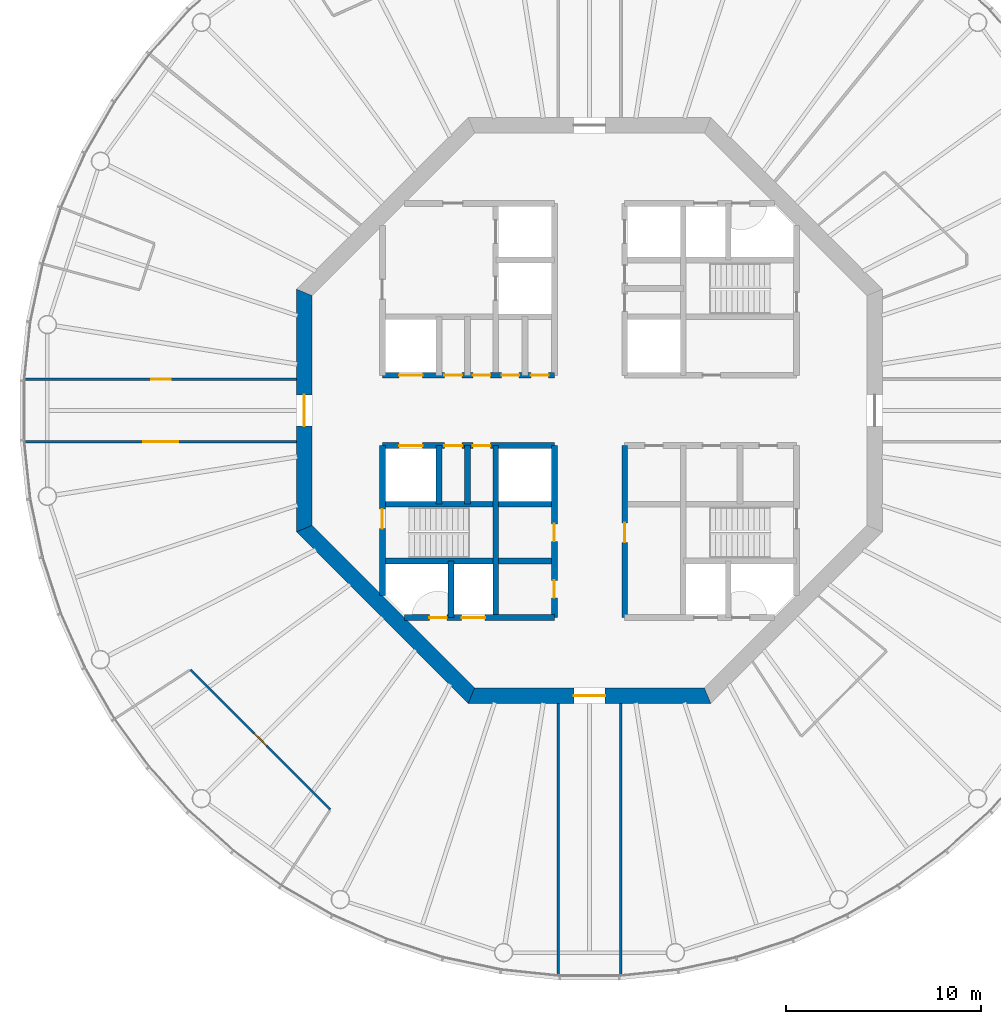
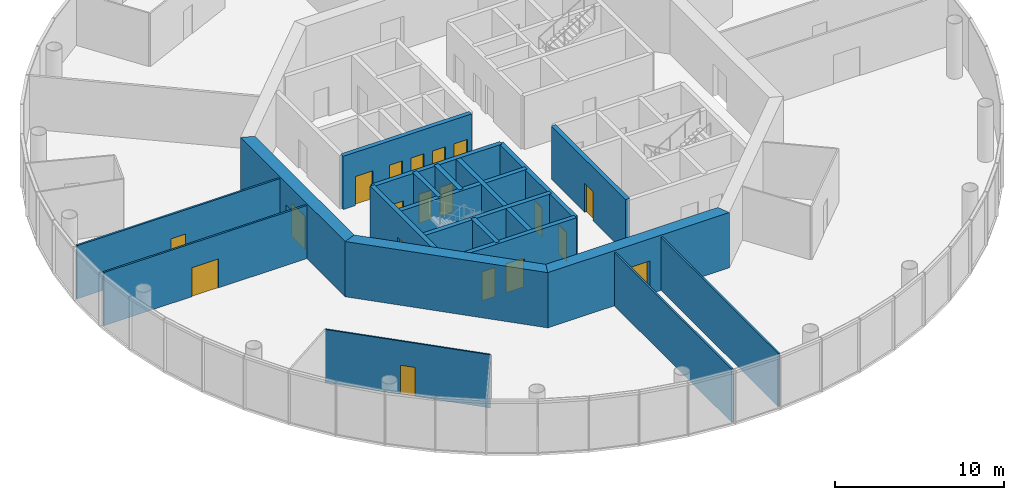
# One storey, part 3 of 13: 20 walls, 19 doors, 19 openings.
"""IFC4 building model written with IfcOpenShell, lengths in metres."""

from ifc_helpers import new_model, si_unit, direction, frame, frame_2d, origin, place, context, subcontext, project, spatial, polyline, rectangle, outline, extrude, material, layer, layer_set, type_object, element, fill, save


model = new_model("IFC4")

# Units and contexts
model_context = context("Model", 3, precision=1e-05, world=origin(), true_north=direction((0.0, 1.0)))
body_context = subcontext(model_context, "Body", "Model", "MODEL_VIEW")
ifc_project = project(units=[si_unit("LENGTHUNIT", "METRE"), si_unit("AREAUNIT", "SQUARE_METRE"), si_unit("VOLUMEUNIT", "CUBIC_METRE"), si_unit("PLANEANGLEUNIT", "RADIAN"), si_unit("MASSUNIT", "GRAM", prefix="KILO")], contexts=[model_context])

# Site, building, storey
site_placement = place(None, origin())
site = spatial("IfcSite", under=ifc_project, at=site_placement, CompositionType="ELEMENT")
building_placement = place(site_placement, origin())
building = spatial("IfcBuilding", under=site, at=building_placement, Name="Entoto Ring Tower", CompositionType="ELEMENT")
storey_placement = place(building_placement, frame((0.0, 0.0, 282.0)))
storey = spatial("IfcBuildingStorey", under=building, at=storey_placement, Name="L64", CompositionType="ELEMENT", Elevation=282.0)

# Wall, opening, door
ifc_material_1 = material(Name="Concrete C40/50", Category="concrete")
ifc_layer_1 = layer(ifc_material_1, 0.300048828125)
ifc_layer_set_1 = layer_set([ifc_layer_1], Name="Concrete C40/50")
wall_type_1 = type_object("IfcWallType", Name="Core enclosure wall 300 mm reinforced concrete", PredefinedType="SOLIDWALL", material=ifc_layer_set_1)
wall_1_placement = place(storey_placement, frame((91.800048828125, 69.39990234375, 0.0), z_axis=(0.0, 0.0, 1.0), x_axis=(0.0, 1.0, 0.0)))
wall_1 = element("IfcWall", 1, at=wall_1_placement, inside=storey, type_object=wall_type_1, Name="wall-L64-008", PredefinedType="SOLIDWALL", context=body_context, shape_type="SweptSolid", body=[
    extrude(rectangle(XDim=8.800048828125, YDim=0.300048828125, at=frame_2d((4.39990234375, 0.0))), origin(), (0.0, 0.0, 1.0), 3.85009765625),
])
opening_1_placement = place(wall_1_placement, frame((3.85009765625, 0.0, 0.0)))
opening_1 = element("IfcOpeningElement", 2, at=opening_1_placement, cuts=wall_1, Name="Opening K-64", PredefinedType="OPENING", context=body_context, shape_type="SweptSolid", body=[
    extrude(rectangle(XDim=1.0, YDim=2.10009765625, at=frame_2d((0.5, 1.050048828125))), frame((0.0, 0.16015625, 0.0), z_axis=(0.0, -1.0, 0.0), x_axis=(1.0, 0.0, 0.0)), (0.0, 0.0, 1.0), 0.320068359375),
])
ifc_material_2 = material(Name="Steel door leaf, fire rated", Category="steel")
ifc_layer_2 = layer(ifc_material_2, 0.050048828125)
ifc_layer_set_2 = layer_set([ifc_layer_2], Name="Steel door leaf, fire rated")
door_type_1 = type_object("IfcDoorType", Name="Accessible door 1000 x 2100 single leaf", OperationType="NOTDEFINED", PredefinedType="DOOR", material=ifc_layer_set_2)
door_1_placement = place(opening_1_placement, frame((1.0, 0.0, 0.0), z_axis=(0.0, 0.0, 1.0), x_axis=(-1.0, 0.0, 0.0)))
door_1 = element("IfcDoor", 3, at=door_1_placement, inside=storey, type_object=door_type_1, Name="Door K-64", OperationType="SINGLE_SWING_LEFT", OverallHeight=2.10009765625, OverallWidth=1.0, PredefinedType="DOOR", context=body_context, shape_type="SweptSolid", body=[
    extrude(rectangle(XDim=1.0, YDim=2.10009765625, at=frame_2d((0.5, 1.050048828125))), frame((0.0, 0.02490234375, 0.0), z_axis=(0.0, -1.0, 0.0), x_axis=(1.0, 0.0, 0.0)), (0.0, 0.0, 1.0), 0.050048828125),
])
fill(opening_1, door_1)

# Wall, openings, doors
wall_2_placement = place(storey_placement, frame((88.199951171875, 69.39990234375, 0.0), z_axis=(0.0, 0.0, 1.0), x_axis=(0.0, 1.0, 0.0)))
wall_2 = element("IfcWall", 4, at=wall_2_placement, inside=storey, type_object=wall_type_1, Name="wall-L64-010", PredefinedType="SOLIDWALL", context=body_context, shape_type="SweptSolid", body=[
    extrude(rectangle(XDim=8.800048828125, YDim=0.300048828125, at=frame_2d((4.39990234375, 0.0))), origin(), (0.0, 0.0, 1.0), 3.85009765625),
])
opening_2_placement = place(wall_2_placement, frame((3.89990234375, 0.0, 0.0)))
opening_2 = element("IfcOpeningElement", 5, at=opening_2_placement, cuts=wall_2, Name="Opening K-21", PredefinedType="OPENING", context=body_context, shape_type="SweptSolid", body=[
    extrude(rectangle(XDim=0.89990234375, YDim=2.10009765625, at=frame_2d((0.449951171875, 1.050048828125))), frame((0.0, 0.16015625, 0.0), z_axis=(0.0, -1.0, 0.0), x_axis=(1.0, 0.0, 0.0)), (0.0, 0.0, 1.0), 0.320068359375),
])
opening_3_placement = place(wall_2_placement, frame((1.0, 0.0, 0.0)))
opening_3 = element("IfcOpeningElement", 6, at=opening_3_placement, cuts=wall_2, Name="Opening K-69", PredefinedType="OPENING", context=body_context, shape_type="SweptSolid", body=[
    extrude(rectangle(XDim=0.89990234375, YDim=2.10009765625, at=frame_2d((0.449951171875, 1.050048828125))), frame((0.0, 0.16015625, 0.0), z_axis=(0.0, -1.0, 0.0), x_axis=(1.0, 0.0, 0.0)), (0.0, 0.0, 1.0), 0.320068359375),
])
ifc_material_3 = material(Name="Steel door leaf, fire rated", Category="steel")
ifc_layer_3 = layer(ifc_material_3, 0.050048828125)
ifc_layer_set_3 = layer_set([ifc_layer_3], Name="Steel door leaf, fire rated")
door_type_2 = type_object("IfcDoorType", Name="Core door 900 x 2100 single leaf", OperationType="NOTDEFINED", PredefinedType="DOOR", material=ifc_layer_set_3)
door_2_placement = place(opening_2_placement, origin())
door_2 = element("IfcDoor", 7, at=door_2_placement, inside=storey, type_object=door_type_2, Name="Door K-21", OperationType="SINGLE_SWING_RIGHT", OverallHeight=2.10009765625, OverallWidth=0.89990234375, PredefinedType="DOOR", context=body_context, shape_type="SweptSolid", body=[
    extrude(rectangle(XDim=0.89990234375, YDim=2.10009765625, at=frame_2d((0.449951171875, 1.050048828125))), frame((0.0, 0.02490234375, 0.0), z_axis=(0.0, -1.0, 0.0), x_axis=(1.0, 0.0, 0.0)), (0.0, 0.0, 1.0), 0.050048828125),
])
fill(opening_2, door_2)
door_3_placement = place(opening_3_placement, origin())
door_3 = element("IfcDoor", 8, at=door_3_placement, inside=storey, type_object=door_type_2, Name="Door K-69", OperationType="SINGLE_SWING_RIGHT", OverallHeight=2.10009765625, OverallWidth=0.89990234375, PredefinedType="DOOR", context=body_context, shape_type="SweptSolid", body=[
    extrude(rectangle(XDim=0.89990234375, YDim=2.10009765625, at=frame_2d((0.449951171875, 1.050048828125))), frame((0.0, 0.02490234375, 0.0), z_axis=(0.0, -1.0, 0.0), x_axis=(1.0, 0.0, 0.0)), (0.0, 0.0, 1.0), 0.050048828125),
])
fill(opening_3, door_3)

# Walls
wall_3_placement = place(storey_placement, frame((85.199951171875, 69.39990234375, 0.0), z_axis=(0.0, 0.0, 1.0), x_axis=(0.0, 1.0, 0.0)))
element("IfcWall", 9, at=wall_3_placement, inside=storey, type_object=wall_type_1, Name="wall-L64-013", PredefinedType="SOLIDWALL", context=body_context, shape_type="SweptSolid", body=[
    extrude(rectangle(XDim=8.800048828125, YDim=0.300048828125, at=frame_2d((4.39990234375, 0.0))), origin(), (0.0, 0.0, 1.0), 3.85009765625),
])
wall_4_placement = place(storey_placement, frame((83.75, 75.199951171875, 0.0), z_axis=(0.0, 0.0, 1.0), x_axis=(0.0, 1.0, 0.0)))
element("IfcWall", 10, at=wall_4_placement, inside=storey, type_object=wall_type_1, Name="wall-L64-015", PredefinedType="SOLIDWALL", context=body_context, shape_type="SweptSolid", body=[
    extrude(rectangle(XDim=3.0, YDim=0.300048828125, at=frame_2d((1.5, 0.0))), origin(), (0.0, 0.0, 1.0), 3.85009765625),
])
wall_5_placement = place(storey_placement, frame((82.89990234375, 69.39990234375, 0.0), z_axis=(0.0, 0.0, 1.0), x_axis=(0.0, 1.0, 0.0)))
element("IfcWall", 11, at=wall_5_placement, inside=storey, type_object=wall_type_1, Name="wall-L64-017", PredefinedType="SOLIDWALL", context=body_context, shape_type="SweptSolid", body=[
    extrude(rectangle(XDim=2.900146484375, YDim=0.300048828125, at=frame_2d((1.4501953125, 0.0))), origin(), (0.0, 0.0, 1.0), 3.85009765625),
])
wall_6_placement = place(storey_placement, frame((82.300048828125, 75.199951171875, 0.0), z_axis=(0.0, 0.0, 1.0), x_axis=(0.0, 1.0, 0.0)))
element("IfcWall", 12, at=wall_6_placement, inside=storey, type_object=wall_type_1, Name="wall-L64-018", PredefinedType="SOLIDWALL", context=body_context, shape_type="SweptSolid", body=[
    extrude(rectangle(XDim=3.0, YDim=0.300048828125, at=frame_2d((1.5, 0.0))), origin(), (0.0, 0.0, 1.0), 3.85009765625),
])

# Wall, opening, door
wall_7_placement = place(storey_placement, frame((79.39990234375, 70.518310546875, 0.0), z_axis=(0.0, 0.0, 1.0), x_axis=(0.0, 1.0, 0.0)))
wall_7 = element("IfcWall", 13, at=wall_7_placement, inside=storey, type_object=wall_type_1, Name="wall-L64-020", PredefinedType="SOLIDWALL", context=body_context, shape_type="SweptSolid", body=[
    extrude(rectangle(XDim=7.681640625, YDim=0.300048828125, at=frame_2d((3.8408203125, 0.0))), origin(), (0.0, 0.0, 1.0), 3.85009765625),
])
opening_4_placement = place(wall_7_placement, frame((3.431884765625, 0.0, 0.0)))
opening_4 = element("IfcOpeningElement", 14, at=opening_4_placement, cuts=wall_7, Name="Opening K-27", PredefinedType="OPENING", context=body_context, shape_type="SweptSolid", body=[
    extrude(rectangle(XDim=1.0, YDim=2.10009765625, at=frame_2d((0.5, 1.050048828125))), frame((0.0, 0.16015625, 0.0), z_axis=(0.0, -1.0, 0.0), x_axis=(1.0, 0.0, 0.0)), (0.0, 0.0, 1.0), 0.320068359375),
])
ifc_material_4 = material(Name="Steel door leaf, fire rated", Category="steel")
ifc_layer_4 = layer(ifc_material_4, 0.050048828125)
ifc_layer_set_4 = layer_set([ifc_layer_4], Name="Steel door leaf, fire rated")
door_type_3 = type_object("IfcDoorType", Name="Fire door FD60 1000 x 2100 single leaf", OperationType="NOTDEFINED", PredefinedType="DOOR", material=ifc_layer_set_4)
door_4_placement = place(opening_4_placement, frame((1.0, 0.0, 0.0), z_axis=(0.0, 0.0, 1.0), x_axis=(-1.0, 0.0, 0.0)))
door_4 = element("IfcDoor", 15, at=door_4_placement, inside=storey, type_object=door_type_3, Name="Door K-27", OperationType="SINGLE_SWING_LEFT", OverallHeight=2.10009765625, OverallWidth=1.0, PredefinedType="DOOR", context=body_context, shape_type="SweptSolid", body=[
    extrude(rectangle(XDim=1.0, YDim=2.10009765625, at=frame_2d((0.5, 1.050048828125))), frame((0.0, 0.02490234375, 0.0), z_axis=(0.0, -1.0, 0.0), x_axis=(1.0, 0.0, 0.0)), (0.0, 0.0, 1.0), 0.050048828125),
])
fill(opening_4, door_4)

# Wall, openings, doors
wall_8_placement = place(storey_placement, frame((80.518310546875, 69.39990234375, 0.0), z_axis=(0.0, 0.0, 1.0), x_axis=(1.0, 0.0, 0.0)))
wall_8 = element("IfcWall", 16, at=wall_8_placement, inside=storey, type_object=wall_type_1, Name="wall-L64-022", PredefinedType="SOLIDWALL", context=body_context, shape_type="SweptSolid", body=[
    extrude(rectangle(XDim=7.681640625, YDim=0.300048828125, at=frame_2d((3.8408203125, 0.0))), origin(), (0.0, 0.0, 1.0), 3.85009765625),
])
opening_5_placement = place(wall_8_placement, frame((2.931884765625, 0.0, 0.0)))
opening_5 = element("IfcOpeningElement", 17, at=opening_5_placement, cuts=wall_8, Name="Opening LD", PredefinedType="OPENING", context=body_context, shape_type="SweptSolid", body=[
    extrude(rectangle(XDim=1.199951171875, YDim=2.10009765625, at=frame_2d((0.60009765625, 1.050048828125))), frame((0.0, 0.16015625, 0.0), z_axis=(0.0, -1.0, 0.0), x_axis=(1.0, 0.0, 0.0)), (0.0, 0.0, 1.0), 0.320068359375),
])
opening_6_placement = place(wall_8_placement, frame((1.28173828125, 0.0, 0.0)))
opening_6 = element("IfcOpeningElement", 18, at=opening_6_placement, cuts=wall_8, Name="Opening K-84", PredefinedType="OPENING", context=body_context, shape_type="SweptSolid", body=[
    extrude(rectangle(XDim=0.89990234375, YDim=2.10009765625, at=frame_2d((0.449951171875, 1.050048828125))), frame((0.0, 0.16015625, 0.0), z_axis=(0.0, -1.0, 0.0), x_axis=(1.0, 0.0, 0.0)), (0.0, 0.0, 1.0), 0.320068359375),
])
ifc_material_5 = material(Name="Steel and glass door leaf", Category="steel")
ifc_layer_5 = layer(ifc_material_5, 0.050048828125)
ifc_layer_set_5 = layer_set([ifc_layer_5], Name="Steel and glass door leaf")
door_type_4 = type_object("IfcDoorType", Name="Landing door 1200 x 2100 sliding", OperationType="DOUBLE_DOOR_SLIDING", PredefinedType="DOOR", material=ifc_layer_set_5)
door_5_placement = place(opening_5_placement, origin())
door_5 = element("IfcDoor", 19, at=door_5_placement, inside=storey, type_object=door_type_4, Name="Landing door LB3-HR", OperationType="SLIDING_TO_RIGHT", OverallHeight=2.10009765625, OverallWidth=1.199951171875, PredefinedType="DOOR", context=body_context, shape_type="SweptSolid", body=[
    extrude(rectangle(XDim=1.199951171875, YDim=2.10009765625, at=frame_2d((0.60009765625, 1.050048828125))), frame((0.0, 0.02490234375, 0.0), z_axis=(0.0, -1.0, 0.0), x_axis=(1.0, 0.0, 0.0)), (0.0, 0.0, 1.0), 0.050048828125),
])
fill(opening_5, door_5)
ifc_material_6 = material(Name="Steel door leaf, fire rated", Category="steel")
ifc_layer_6 = layer(ifc_material_6, 0.050048828125)
ifc_layer_set_6 = layer_set([ifc_layer_6], Name="Steel door leaf, fire rated")
door_type_5 = type_object("IfcDoorType", Name="Riser door FD60 900 x 2100 single leaf", OperationType="NOTDEFINED", PredefinedType="DOOR", material=ifc_layer_set_6)
door_6_placement = place(opening_6_placement, origin())
door_6 = element("IfcDoor", 20, at=door_6_placement, inside=storey, type_object=door_type_5, Name="Door K-84", OperationType="SINGLE_SWING_RIGHT", OverallHeight=2.10009765625, OverallWidth=0.89990234375, PredefinedType="DOOR", context=body_context, shape_type="SweptSolid", body=[
    extrude(rectangle(XDim=0.89990234375, YDim=2.10009765625, at=frame_2d((0.449951171875, 1.050048828125))), frame((0.0, 0.02490234375, 0.0), z_axis=(0.0, -1.0, 0.0), x_axis=(1.0, 0.0, 0.0)), (0.0, 0.0, 1.0), 0.050048828125),
])
fill(opening_6, door_6)

# Walls
for number, where, z_axis, x_axis, name in (
    (21, (79.39990234375, 72.300048828125, 0.0), (0.0, 0.0, 1.0), (1.0, 0.0, 0.0), "wall-L64-024"),
    (22, (79.39990234375, 75.199951171875, 0.0), (0.0, 0.0, 1.0), (1.0, 0.0, 0.0), "wall-L64-026"),
):
    element("IfcWall", number, at=place(storey_placement, frame(where, z_axis=z_axis, x_axis=x_axis)), inside=storey, type_object=wall_type_1, Name=name, PredefinedType="SOLIDWALL", context=body_context, shape_type="SweptSolid", body=[
        extrude(rectangle(XDim=8.800048828125, YDim=0.300048828125, at=frame_2d((4.39990234375, 0.0))), origin(), (0.0, 0.0, 1.0), 3.85009765625),
    ])

# Wall, openings, doors
wall_9_placement = place(storey_placement, frame((79.39990234375, 78.199951171875, 0.0), z_axis=(0.0, 0.0, 1.0), x_axis=(1.0, 0.0, 0.0)))
wall_9 = element("IfcWall", 23, at=wall_9_placement, inside=storey, type_object=wall_type_1, Name="wall-L64-028", PredefinedType="SOLIDWALL", context=body_context, shape_type="SweptSolid", body=[
    extrude(rectangle(XDim=8.800048828125, YDim=0.300048828125, at=frame_2d((4.39990234375, 0.0))), origin(), (0.0, 0.0, 1.0), 3.85009765625),
])
opening_7_placement = place(wall_9_placement, frame((0.85009765625, 0.0, 0.0)))
opening_7 = element("IfcOpeningElement", 24, at=opening_7_placement, cuts=wall_9, Name="Opening LD", PredefinedType="OPENING", context=body_context, shape_type="SweptSolid", body=[
    extrude(rectangle(XDim=1.199951171875, YDim=2.10009765625, at=frame_2d((0.60009765625, 1.050048828125))), frame((0.0, 0.16015625, 0.0), z_axis=(0.0, -1.0, 0.0), x_axis=(1.0, 0.0, 0.0)), (0.0, 0.0, 1.0), 0.320068359375),
])
opening_8_placement = place(wall_9_placement, frame((3.175048828125, 0.0, 0.0)))
opening_8 = element("IfcOpeningElement", 25, at=opening_8_placement, cuts=wall_9, Name="Opening K-16", PredefinedType="OPENING", context=body_context, shape_type="SweptSolid", body=[
    extrude(rectangle(XDim=0.89990234375, YDim=2.10009765625, at=frame_2d((0.449951171875, 1.050048828125))), frame((0.0, 0.16015625, 0.0), z_axis=(0.0, -1.0, 0.0), x_axis=(1.0, 0.0, 0.0)), (0.0, 0.0, 1.0), 0.320068359375),
])
opening_9_placement = place(wall_9_placement, frame((4.625, 0.0, 0.0)))
opening_9 = element("IfcOpeningElement", 26, at=opening_9_placement, cuts=wall_9, Name="Opening K-57", PredefinedType="OPENING", context=body_context, shape_type="SweptSolid", body=[
    extrude(rectangle(XDim=0.89990234375, YDim=2.10009765625, at=frame_2d((0.449951171875, 1.050048828125))), frame((0.0, 0.16015625, 0.0), z_axis=(0.0, -1.0, 0.0), x_axis=(1.0, 0.0, 0.0)), (0.0, 0.0, 1.0), 0.320068359375),
])
door_7_placement = place(opening_8_placement, frame((0.89990234375, 0.0, 0.0), z_axis=(0.0, 0.0, 1.0), x_axis=(-1.0, 0.0, 0.0)))
door_7 = element("IfcDoor", 27, at=door_7_placement, inside=storey, type_object=door_type_2, Name="Door K-16", OperationType="SINGLE_SWING_LEFT", OverallHeight=2.10009765625, OverallWidth=0.89990234375, PredefinedType="DOOR", context=body_context, shape_type="SweptSolid", body=[
    extrude(rectangle(XDim=0.89990234375, YDim=2.10009765625, at=frame_2d((0.449951171875, 1.050048828125))), frame((0.0, 0.02490234375, 0.0), z_axis=(0.0, -1.0, 0.0), x_axis=(1.0, 0.0, 0.0)), (0.0, 0.0, 1.0), 0.050048828125),
])
fill(opening_8, door_7)
door_8_placement = place(opening_9_placement, frame((0.89990234375, 0.0, 0.0), z_axis=(0.0, 0.0, 1.0), x_axis=(-1.0, 0.0, 0.0)))
door_8 = element("IfcDoor", 28, at=door_8_placement, inside=storey, type_object=door_type_2, Name="Door K-57", OperationType="SINGLE_SWING_LEFT", OverallHeight=2.10009765625, OverallWidth=0.89990234375, PredefinedType="DOOR", context=body_context, shape_type="SweptSolid", body=[
    extrude(rectangle(XDim=0.89990234375, YDim=2.10009765625, at=frame_2d((0.449951171875, 1.050048828125))), frame((0.0, 0.02490234375, 0.0), z_axis=(0.0, -1.0, 0.0), x_axis=(1.0, 0.0, 0.0)), (0.0, 0.0, 1.0), 0.050048828125),
])
fill(opening_9, door_8)
door_9_placement = place(opening_7_placement, origin())
door_9 = element("IfcDoor", 29, at=door_9_placement, inside=storey, type_object=door_type_4, Name="Landing door SH2", OperationType="SLIDING_TO_RIGHT", OverallHeight=2.10009765625, OverallWidth=1.199951171875, PredefinedType="DOOR", context=body_context, shape_type="SweptSolid", body=[
    extrude(rectangle(XDim=1.199951171875, YDim=2.10009765625, at=frame_2d((0.60009765625, 1.050048828125))), frame((0.0, 0.02490234375, 0.0), z_axis=(0.0, -1.0, 0.0), x_axis=(1.0, 0.0, 0.0)), (0.0, 0.0, 1.0), 0.050048828125),
])
fill(opening_7, door_9)

wall_10_placement = place(storey_placement, frame((79.39990234375, 81.800048828125, 0.0), z_axis=(0.0, 0.0, 1.0), x_axis=(1.0, 0.0, 0.0)))
wall_10 = element("IfcWall", 30, at=wall_10_placement, inside=storey, type_object=wall_type_1, Name="wall-L64-030", PredefinedType="SOLIDWALL", context=body_context, shape_type="SweptSolid", body=[
    extrude(rectangle(XDim=8.800048828125, YDim=0.300048828125, at=frame_2d((4.39990234375, 0.0))), origin(), (0.0, 0.0, 1.0), 3.85009765625),
])
opening_10_placement = place(wall_10_placement, frame((0.85009765625, 0.0, 0.0)))
opening_10 = element("IfcOpeningElement", 31, at=opening_10_placement, cuts=wall_10, Name="Opening LD", PredefinedType="OPENING", context=body_context, shape_type="SweptSolid", body=[
    extrude(rectangle(XDim=1.199951171875, YDim=2.10009765625, at=frame_2d((0.60009765625, 1.050048828125))), frame((0.0, 0.16015625, 0.0), z_axis=(0.0, -1.0, 0.0), x_axis=(1.0, 0.0, 0.0)), (0.0, 0.0, 1.0), 0.320068359375),
])
opening_11_placement = place(wall_10_placement, frame((3.175048828125, 0.0, 0.0)))
opening_11 = element("IfcOpeningElement", 32, at=opening_11_placement, cuts=wall_10, Name="Opening K-12", PredefinedType="OPENING", context=body_context, shape_type="SweptSolid", body=[
    extrude(rectangle(XDim=0.89990234375, YDim=2.10009765625, at=frame_2d((0.449951171875, 1.050048828125))), frame((0.0, 0.16015625, 0.0), z_axis=(0.0, -1.0, 0.0), x_axis=(1.0, 0.0, 0.0)), (0.0, 0.0, 1.0), 0.320068359375),
])
opening_12_placement = place(wall_10_placement, frame((4.625, 0.0, 0.0)))
opening_12 = element("IfcOpeningElement", 33, at=opening_12_placement, cuts=wall_10, Name="Opening K-46", PredefinedType="OPENING", context=body_context, shape_type="SweptSolid", body=[
    extrude(rectangle(XDim=0.89990234375, YDim=2.10009765625, at=frame_2d((0.449951171875, 1.050048828125))), frame((0.0, 0.16015625, 0.0), z_axis=(0.0, -1.0, 0.0), x_axis=(1.0, 0.0, 0.0)), (0.0, 0.0, 1.0), 0.320068359375),
])
opening_13_placement = place(wall_10_placement, frame((6.10009765625, 0.0, 0.0)))
opening_13 = element("IfcOpeningElement", 34, at=opening_13_placement, cuts=wall_10, Name="Opening K-71", PredefinedType="OPENING", context=body_context, shape_type="SweptSolid", body=[
    extrude(rectangle(XDim=0.89990234375, YDim=2.10009765625, at=frame_2d((0.449951171875, 1.050048828125))), frame((0.0, 0.16015625, 0.0), z_axis=(0.0, -1.0, 0.0), x_axis=(1.0, 0.0, 0.0)), (0.0, 0.0, 1.0), 0.320068359375),
])
opening_14_placement = place(wall_10_placement, frame((7.60009765625, 0.0, 0.0)))
opening_14 = element("IfcOpeningElement", 35, at=opening_14_placement, cuts=wall_10, Name="Opening K-24", PredefinedType="OPENING", context=body_context, shape_type="SweptSolid", body=[
    extrude(rectangle(XDim=0.89990234375, YDim=2.10009765625, at=frame_2d((0.449951171875, 1.050048828125))), frame((0.0, 0.16015625, 0.0), z_axis=(0.0, -1.0, 0.0), x_axis=(1.0, 0.0, 0.0)), (0.0, 0.0, 1.0), 0.320068359375),
])
door_10_placement = place(opening_11_placement, origin())
door_10 = element("IfcDoor", 36, at=door_10_placement, inside=storey, type_object=door_type_2, Name="Door K-12", OperationType="SINGLE_SWING_RIGHT", OverallHeight=2.10009765625, OverallWidth=0.89990234375, PredefinedType="DOOR", context=body_context, shape_type="SweptSolid", body=[
    extrude(rectangle(XDim=0.89990234375, YDim=2.10009765625, at=frame_2d((0.449951171875, 1.050048828125))), frame((0.0, 0.02490234375, 0.0), z_axis=(0.0, -1.0, 0.0), x_axis=(1.0, 0.0, 0.0)), (0.0, 0.0, 1.0), 0.050048828125),
])
fill(opening_11, door_10)
door_11_placement = place(opening_12_placement, origin())
door_11 = element("IfcDoor", 37, at=door_11_placement, inside=storey, type_object=door_type_2, Name="Door K-46", OperationType="SINGLE_SWING_RIGHT", OverallHeight=2.10009765625, OverallWidth=0.89990234375, PredefinedType="DOOR", context=body_context, shape_type="SweptSolid", body=[
    extrude(rectangle(XDim=0.89990234375, YDim=2.10009765625, at=frame_2d((0.449951171875, 1.050048828125))), frame((0.0, 0.02490234375, 0.0), z_axis=(0.0, -1.0, 0.0), x_axis=(1.0, 0.0, 0.0)), (0.0, 0.0, 1.0), 0.050048828125),
])
fill(opening_12, door_11)
door_12_placement = place(opening_13_placement, origin())
door_12 = element("IfcDoor", 38, at=door_12_placement, inside=storey, type_object=door_type_2, Name="Door K-71", OperationType="SINGLE_SWING_LEFT", OverallHeight=2.10009765625, OverallWidth=0.89990234375, PredefinedType="DOOR", context=body_context, shape_type="SweptSolid", body=[
    extrude(rectangle(XDim=0.89990234375, YDim=2.10009765625, at=frame_2d((0.449951171875, 1.050048828125))), frame((0.0, 0.02490234375, 0.0), z_axis=(0.0, -1.0, 0.0), x_axis=(1.0, 0.0, 0.0)), (0.0, 0.0, 1.0), 0.050048828125),
])
fill(opening_13, door_12)
door_13_placement = place(opening_14_placement, origin())
door_13 = element("IfcDoor", 39, at=door_13_placement, inside=storey, type_object=door_type_2, Name="Door K-24", OperationType="SINGLE_SWING_LEFT", OverallHeight=2.10009765625, OverallWidth=0.89990234375, PredefinedType="DOOR", context=body_context, shape_type="SweptSolid", body=[
    extrude(rectangle(XDim=0.89990234375, YDim=2.10009765625, at=frame_2d((0.449951171875, 1.050048828125))), frame((0.0, 0.02490234375, 0.0), z_axis=(0.0, -1.0, 0.0), x_axis=(1.0, 0.0, 0.0)), (0.0, 0.0, 1.0), 0.050048828125),
])
fill(opening_14, door_13)
door_14_placement = place(opening_10_placement, origin())
door_14 = element("IfcDoor", 40, at=door_14_placement, inside=storey, type_object=door_type_4, Name="Landing door SH1", OperationType="SLIDING_TO_RIGHT", OverallHeight=2.10009765625, OverallWidth=1.199951171875, PredefinedType="DOOR", context=body_context, shape_type="SweptSolid", body=[
    extrude(rectangle(XDim=1.199951171875, YDim=2.10009765625, at=frame_2d((0.60009765625, 1.050048828125))), frame((0.0, 0.02490234375, 0.0), z_axis=(0.0, -1.0, 0.0), x_axis=(1.0, 0.0, 0.0)), (0.0, 0.0, 1.0), 0.050048828125),
])
fill(opening_10, door_14)

# Wall, opening, door
ifc_material_7 = material(Name="Concrete C40/50", Category="concrete")
ifc_layer_7 = layer(ifc_material_7, 0.800048828125)
ifc_layer_set_7 = layer_set([ifc_layer_7], Name="Concrete C40/50")
wall_type_2 = type_object("IfcWallType", Name="Core shear wall 800 mm reinforced concrete C40/50", PredefinedType="SHEAR", material=ifc_layer_set_7)
wall_11_placement = place(storey_placement, frame((75.39990234375, 86.047607421875, 0.0), z_axis=(0.0, 0.0, 1.0), x_axis=(0.0, -1.0, 0.0)))
wall_11 = element("IfcWall", 41, at=wall_11_placement, inside=storey, type_object=wall_type_2, Name="wall-L64-core-4", PredefinedType="SHEAR", context=body_context, shape_type="SweptSolid", body=[
    extrude(outline(polyline([(-0.165771484375, -0.39990234375), (12.260986328125, -0.39990234375), (11.929443359375, 0.39990234375), (0.165771484375, 0.39990234375), (-0.165771484375, -0.39990234375)])), origin(), (0.0, 0.0, 1.0), 4.0),
])
opening_15_placement = place(wall_11_placement, frame((5.24755859375, 0.0, 0.0)))
opening_15 = element("IfcOpeningElement", 42, at=opening_15_placement, cuts=wall_11, Name="Opening K-03", PredefinedType="OPENING", context=body_context, shape_type="SweptSolid", body=[
    extrude(rectangle(XDim=1.60009765625, YDim=2.39990234375, at=frame_2d((0.800048828125, 1.199951171875))), frame((0.0, 0.41015625, 0.0), z_axis=(0.0, -1.0, 0.0), x_axis=(1.0, 0.0, 0.0)), (0.0, 0.0, 1.0), 0.820068359375),
])
ifc_material_8 = material(Name="Steel door leaf, fire rated", Category="steel")
ifc_layer_8 = layer(ifc_material_8, 0.050048828125)
ifc_layer_set_8 = layer_set([ifc_layer_8], Name="Steel door leaf, fire rated")
door_type_6 = type_object("IfcDoorType", Name="Entrance door FD60 1600 x 2400 double leaf", OperationType="DOUBLE_DOOR_SINGLE_SWING", PredefinedType="DOOR", material=ifc_layer_set_8)
door_15_placement = place(opening_15_placement, origin())
door_15 = element("IfcDoor", 43, at=door_15_placement, inside=storey, type_object=door_type_6, Name="Entrance door K-03", OperationType="DOUBLE_DOOR_SINGLE_SWING", OverallHeight=2.39990234375, OverallWidth=1.60009765625, PredefinedType="DOOR", context=body_context, shape_type="SweptSolid", body=[
    extrude(rectangle(XDim=1.60009765625, YDim=2.39990234375, at=frame_2d((0.800048828125, 1.199951171875))), frame((0.0, 0.02490234375, 0.0), z_axis=(0.0, -1.0, 0.0), x_axis=(1.0, 0.0, 0.0)), (0.0, 0.0, 1.0), 0.050048828125),
])
fill(opening_15, door_15)

# Wall
wall_12_placement = place(storey_placement, frame((75.39990234375, 73.952392578125, 0.0), z_axis=(0.0, 0.0, 1.0), x_axis=(0.707106781187, -0.707106781187, 0.0)))
element("IfcWall", 44, at=wall_12_placement, inside=storey, type_object=wall_type_2, Name="wall-L64-core-5", PredefinedType="SHEAR", context=body_context, shape_type="SweptSolid", body=[
    extrude(outline(polyline([(-0.165771484375, -0.39990234375), (12.2607421875, -0.39990234375), (11.92919921875, 0.39990234375), (0.165771484375, 0.39990234375), (-0.165771484375, -0.39990234375)])), origin(), (0.0, 0.0, 1.0), 4.0),
])

# Wall, opening, door
wall_13_placement = place(storey_placement, frame((83.952392578125, 65.39990234375, 0.0), z_axis=(0.0, 0.0, 1.0), x_axis=(1.0, 0.0, 0.0)))
wall_13 = element("IfcWall", 45, at=wall_13_placement, inside=storey, type_object=wall_type_2, Name="wall-L64-core-6", PredefinedType="SHEAR", context=body_context, shape_type="SweptSolid", body=[
    extrude(outline(polyline([(-0.165771484375, -0.39990234375), (12.260986328125, -0.39990234375), (11.929443359375, 0.39990234375), (0.165771484375, 0.39990234375), (-0.165771484375, -0.39990234375)])), origin(), (0.0, 0.0, 1.0), 4.0),
])
opening_16_placement = place(wall_13_placement, frame((5.24755859375, 0.0, 0.0)))
opening_16 = element("IfcOpeningElement", 46, at=opening_16_placement, cuts=wall_13, Name="Opening K-04", PredefinedType="OPENING", context=body_context, shape_type="SweptSolid", body=[
    extrude(rectangle(XDim=1.60009765625, YDim=2.39990234375, at=frame_2d((0.800048828125, 1.199951171875))), frame((0.0, 0.41015625, 0.0), z_axis=(0.0, -1.0, 0.0), x_axis=(1.0, 0.0, 0.0)), (0.0, 0.0, 1.0), 0.820068359375),
])
door_16_placement = place(opening_16_placement, origin())
door_16 = element("IfcDoor", 47, at=door_16_placement, inside=storey, type_object=door_type_6, Name="Entrance door K-04", OperationType="DOUBLE_DOOR_SINGLE_SWING", OverallHeight=2.39990234375, OverallWidth=1.60009765625, PredefinedType="DOOR", context=body_context, shape_type="SweptSolid", body=[
    extrude(rectangle(XDim=1.60009765625, YDim=2.39990234375, at=frame_2d((0.800048828125, 1.199951171875))), frame((0.0, 0.02490234375, 0.0), z_axis=(0.0, -1.0, 0.0), x_axis=(1.0, 0.0, 0.0)), (0.0, 0.0, 1.0), 0.050048828125),
])
fill(opening_16, door_16)

ifc_material_9 = material(Name="Fire-resisting plasterboard on steel studs", Category="steel")
ifc_layer_9 = layer(ifc_material_9, 0.125)
ifc_layer_set_9 = layer_set([ifc_layer_9], Name="Fire-resisting plasterboard on steel studs")
wall_type_3 = type_object("IfcWallType", Name="Corridor wall 125 mm one-hour plasterboard on steel studs", PredefinedType="PARTITIONING", material=ifc_layer_set_9)
wall_14_placement = place(storey_placement, frame((61.108642578125, 78.39990234375, 0.0), z_axis=(0.0, 0.0, 1.0), x_axis=(1.0, 0.0, 0.0)))
wall_14 = element("IfcWall", 48, at=wall_14_placement, inside=storey, type_object=wall_type_3, Name="partition-L64-001", PredefinedType="PARTITIONING", context=body_context, shape_type="SweptSolid", body=[
    extrude(rectangle(XDim=13.891357421875, YDim=0.125, at=frame_2d((6.94580078125, 0.0))), origin(), (0.0, 0.0, 1.0), 3.85009765625),
])
opening_17_placement = place(wall_14_placement, frame((6.045654296875, 0.0, 0.0)))
opening_17 = element("IfcOpeningElement", 49, at=opening_17_placement, cuts=wall_14, Name="Opening A28-D09", PredefinedType="OPENING", context=body_context, shape_type="SweptSolid", body=[
    extrude(rectangle(XDim=1.800048828125, YDim=2.10009765625, at=frame_2d((0.89990234375, 1.050048828125))), frame((0.0, 0.072509765625, 0.0), z_axis=(0.0, -1.0, 0.0), x_axis=(1.0, 0.0, 0.0)), (0.0, 0.0, 1.0), 0.14501953125),
])
ifc_material_10 = material(Name="Fire-resisting timber door set", Category="wood")
door_type_7 = type_object("IfcDoorType", Name="Door 1800 x 2100 double leaf FD30S fire door", OperationType="DOUBLE_DOOR_SINGLE_SWING", PredefinedType="DOOR", material=ifc_material_10)
door_17_placement = place(opening_17_placement, frame((1.800048828125, 0.0, 0.0), z_axis=(0.0, 0.0, 1.0), x_axis=(-1.0, 0.0, 0.0)))
door_17 = element("IfcDoor", 50, at=door_17_placement, inside=storey, type_object=door_type_7, Name="Door A28-D09", OperationType="DOUBLE_DOOR_SINGLE_SWING", OverallHeight=2.10009765625, OverallWidth=1.800048828125, PredefinedType="DOOR", context=body_context, shape_type="SweptSolid", body=[
    extrude(rectangle(XDim=1.800048828125, YDim=2.10009765625, at=frame_2d((0.89990234375, 1.050048828125))), frame((0.0, 0.02490234375, 0.0), z_axis=(0.0, -1.0, 0.0), x_axis=(1.0, 0.0, 0.0)), (0.0, 0.0, 1.0), 0.050048828125),
])
fill(opening_17, door_17)

wall_15_placement = place(storey_placement, frame((61.108642578125, 81.60009765625, 0.0), z_axis=(0.0, 0.0, 1.0), x_axis=(1.0, 0.0, 0.0)))
wall_15 = element("IfcWall", 51, at=wall_15_placement, inside=storey, type_object=wall_type_3, Name="partition-L64-002", PredefinedType="PARTITIONING", context=body_context, shape_type="SweptSolid", body=[
    extrude(rectangle(XDim=13.891357421875, YDim=0.125, at=frame_2d((6.94580078125, 0.0))), origin(), (0.0, 0.0, 1.0), 3.85009765625),
])
opening_18_placement = place(wall_15_placement, frame((6.44580078125, 0.0, 0.0)))
opening_18 = element("IfcOpeningElement", 52, at=opening_18_placement, cuts=wall_15, Name="Opening A28-D07", PredefinedType="OPENING", context=body_context, shape_type="SweptSolid", body=[
    extrude(rectangle(XDim=1.0, YDim=2.10009765625, at=frame_2d((0.5, 1.050048828125))), frame((0.0, 0.072509765625, 0.0), z_axis=(0.0, -1.0, 0.0), x_axis=(1.0, 0.0, 0.0)), (0.0, 0.0, 1.0), 0.14501953125),
])
ifc_material_11 = material(Name="Fire-resisting timber door set", Category="wood")
door_type_8 = type_object("IfcDoorType", Name="Door 1000 x 2100 single leaf FD30S fire door", OperationType="NOTDEFINED", PredefinedType="DOOR", material=ifc_material_11)
door_18_placement = place(opening_18_placement, origin())
door_18 = element("IfcDoor", 53, at=door_18_placement, inside=storey, type_object=door_type_8, Name="Door A28-D07", OperationType="SINGLE_SWING_LEFT", OverallHeight=2.10009765625, OverallWidth=1.0, PredefinedType="DOOR", context=body_context, shape_type="SweptSolid", body=[
    extrude(rectangle(XDim=1.0, YDim=2.10009765625, at=frame_2d((0.5, 1.050048828125))), frame((0.0, 0.02490234375, 0.0), z_axis=(0.0, -1.0, 0.0), x_axis=(1.0, 0.0, 0.0)), (0.0, 0.0, 1.0), 0.050048828125),
])
fill(opening_18, door_18)

# Walls
for number, where, z_axis, x_axis, name in (
    (54, (88.39990234375, 51.108642578125, 0.0), (0.0, 0.0, 1.0), (0.0, 1.0, 0.0), "partition-L64-003"),
    (55, (91.60009765625, 51.108642578125, 0.0), (0.0, 0.0, 1.0), (0.0, 1.0, 0.0), "partition-L64-005"),
):
    element("IfcWall", number, at=place(storey_placement, frame(where, z_axis=z_axis, x_axis=x_axis)), inside=storey, type_object=wall_type_3, Name=name, PredefinedType="PARTITIONING", context=body_context, shape_type="SweptSolid", body=[
        extrude(rectangle(XDim=13.891357421875, YDim=0.125, at=frame_2d((6.94580078125, 0.0))), origin(), (0.0, 0.0, 1.0), 3.85009765625),
    ])

# Wall, opening, door
ifc_material_12 = material(Name="Plasterboard on steel studs", Category="steel")
ifc_layer_10 = layer(ifc_material_12, 0.10009765625)
ifc_layer_set_10 = layer_set([ifc_layer_10], Name="Plasterboard on steel studs")
wall_type_4 = type_object("IfcWallType", Name="Partition 100 mm plasterboard on steel studs", PredefinedType="PARTITIONING", material=ifc_layer_set_10)
wall_16_placement = place(storey_placement, frame((76.732666015625, 59.570068359375, 0.0), z_axis=(0.0, 0.0, 1.0), x_axis=(-0.707106781187, 0.707106781187, 0.0)))
wall_16 = element("IfcWall", 56, at=wall_16_placement, inside=storey, type_object=wall_type_4, Name="partition-L64-011", PredefinedType="PARTITIONING", context=body_context, shape_type="SweptSolid", body=[
    extrude(rectangle(XDim=10.12939453125, YDim=0.10009765625, at=frame_2d((5.064697265625, 0.0))), origin(), (0.0, 0.0, 1.0), 3.85009765625),
])
opening_19_placement = place(wall_16_placement, frame((4.61474609375, 0.0, 0.0)))
opening_19 = element("IfcOpeningElement", 57, at=opening_19_placement, cuts=wall_16, Name="Opening A28-D10", PredefinedType="OPENING", context=body_context, shape_type="SweptSolid", body=[
    extrude(rectangle(XDim=0.89990234375, YDim=2.10009765625, at=frame_2d((0.449951171875, 1.050048828125))), frame((0.0, 0.06005859375, 0.0), z_axis=(0.0, -1.0, 0.0), x_axis=(1.0, 0.0, 0.0)), (0.0, 0.0, 1.0), 0.1201171875),
])
ifc_material_13 = material(Name="Veneered timber door leaf in timber frame", Category="wood")
door_type_9 = type_object("IfcDoorType", Name="Door 900 x 2100 single leaf timber veneer", OperationType="NOTDEFINED", PredefinedType="DOOR", material=ifc_material_13)
door_19_placement = place(opening_19_placement, origin())
door_19 = element("IfcDoor", 58, at=door_19_placement, inside=storey, type_object=door_type_9, Name="Door A28-D10", OperationType="SINGLE_SWING_LEFT", OverallHeight=2.10009765625, OverallWidth=0.89990234375, PredefinedType="DOOR", context=body_context, shape_type="SweptSolid", body=[
    extrude(rectangle(XDim=0.89990234375, YDim=2.10009765625, at=frame_2d((0.449951171875, 1.050048828125))), frame((0.0, 0.02490234375, 0.0), z_axis=(0.0, -1.0, 0.0), x_axis=(1.0, 0.0, 0.0)), (0.0, 0.0, 1.0), 0.050048828125),
])
fill(opening_19, door_19)

save(model, "model.ifc")
